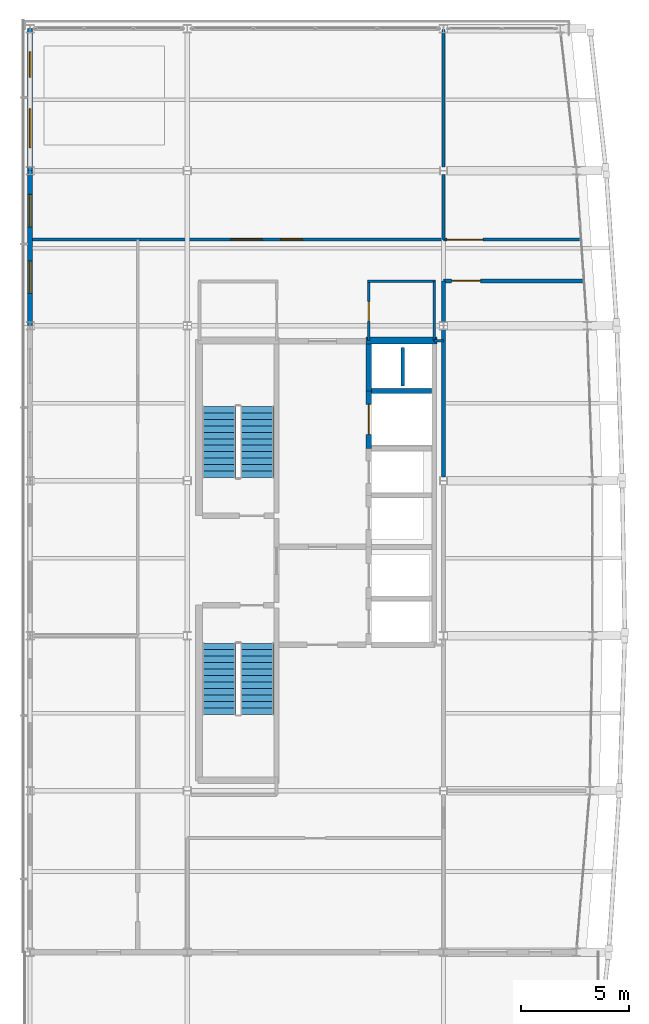
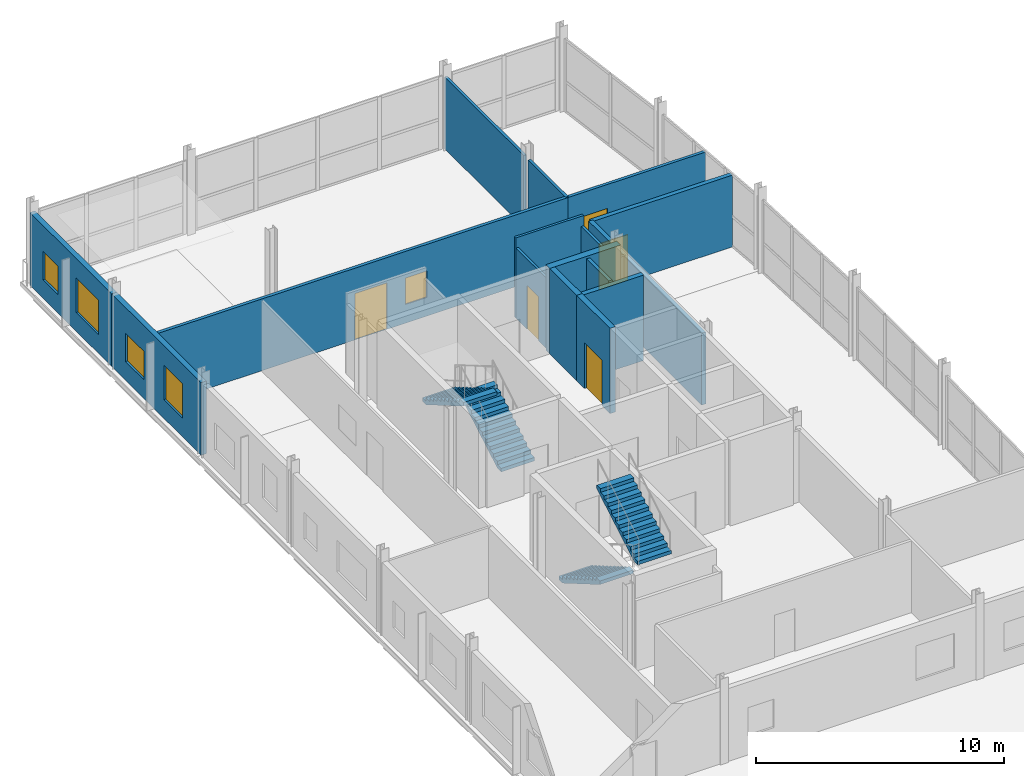
# One storey, part 16 of 19: 18 walls, 5 doors, 5 windows, 4 stair flights, 10 openings, 2 elements without a shape of their own.
"""IFC4 building model written with IfcOpenShell, lengths in metres."""

from ifc_helpers import new_model, si_unit, direction, frame, frame_2d, origin, place, context, subcontext, project, spatial, polyline, rectangle, outline, extrude, material, layer, layer_set, type_object, element, fill, aggregate, save


model = new_model("IFC4")

# Units and contexts
model_context = context("Model", 3, precision=1e-05, world=origin(), true_north=direction((0.0, 1.0)))
body_context = subcontext(model_context, "Body", "Model", "MODEL_VIEW")
ifc_project = project(units=[si_unit("LENGTHUNIT", "METRE"), si_unit("AREAUNIT", "SQUARE_METRE"), si_unit("VOLUMEUNIT", "CUBIC_METRE"), si_unit("PLANEANGLEUNIT", "RADIAN"), si_unit("MASSUNIT", "GRAM", prefix="KILO")], contexts=[model_context])

# Site, building, storey
site_placement = place(None, origin())
site = spatial("IfcSite", under=ifc_project, at=site_placement, CompositionType="ELEMENT")
building_placement = place(site_placement, origin())
building = spatial("IfcBuilding", under=site, at=building_placement, Name="Quillay Park Conservatory", CompositionType="ELEMENT")
storey_placement = place(building_placement, frame((0.0, 0.0, 35.10009765625)))
storey = spatial("IfcBuildingStorey", under=building, at=storey_placement, Name="L08", CompositionType="ELEMENT", Elevation=35.10009765625)

# Wall
ifc_material_1 = material(Name="Steel-Stud Acoustic Gypsum Board Partition", Category="steel")
ifc_layer_1 = layer(ifc_material_1, 0.10498046875)
ifc_layer_set_1 = layer_set([ifc_layer_1], Name="ACOUSTIC GYPSUM PARTITION 105 (Steel-Stud Acoustic Gypsum Board Partition)")
wall_type_1 = type_object("IfcWallType", Name="ACOUSTIC GYPSUM PARTITION 105", PredefinedType="PARTITIONING", material=ifc_layer_set_1)
wall_1_placement = place(storey_placement, frame((19.75, 98.89990234375, 0.0), z_axis=(0.0, 0.0, 1.0), x_axis=(-1.0, 0.0, 0.0)))
element("IfcWall", 1, at=wall_1_placement, inside=storey, type_object=wall_type_1, Name="L08 Core North-East Closure", PredefinedType="PARTITIONING", context=body_context, shape_type="SweptSolid", body=[
    extrude(rectangle(XDim=0.429931640625, YDim=0.10498046875, at=frame_2d((0.21484375, 0.0))), origin(), (0.0, 0.0, 1.0), 3.52685546875),
])

# Wall, opening, door
ifc_material_2 = material(Name="Steel-Stud Acoustic Gypsum Board Partition", Category="steel")
ifc_layer_2 = layer(ifc_material_2, 0.110107421875)
ifc_layer_set_2 = layer_set([ifc_layer_2], Name="ACOUSTIC GYPSUM PARTITION 110 (Steel-Stud Acoustic Gypsum Board Partition)")
wall_type_2 = type_object("IfcWallType", Name="ACOUSTIC GYPSUM PARTITION 110", PredefinedType="PARTITIONING", material=ifc_layer_set_2)
wall_2_placement = place(storey_placement, frame((16.280029296875, 98.919921875, 0.0), z_axis=(0.0, 0.0, 1.0), x_axis=(0.0, 1.0, 0.0)))
wall_2 = element("IfcWall", 2, at=wall_2_placement, inside=storey, type_object=wall_type_2, Name="L08 Washroom Door Wall", PredefinedType="PARTITIONING", context=body_context, shape_type="SweptSolid", body=[
    extrude(rectangle(XDim=2.68017578125, YDim=0.110107421875, at=frame_2d((1.340087890625, 0.0))), origin(), (0.0, 0.0, 1.0), 3.450927734375),
])
opening_1_placement = place(wall_2_placement, frame((0.8798828125, 0.0, 0.0)))
opening_1 = element("IfcOpeningElement", 3, at=opening_1_placement, cuts=wall_2, Name="Opening D-RM07", PredefinedType="OPENING", context=body_context, shape_type="SweptSolid", body=[
    extrude(rectangle(XDim=0.919921875, YDim=2.14990234375, at=frame_2d((0.4599609375, 1.074951171875))), frame((0.0, 0.05517578125, 0.0), z_axis=(0.0, -1.0, 0.0), x_axis=(1.0, 0.0, 0.0)), (0.0, 0.0, 1.0), 0.110107421875),
])
ifc_material_3 = material(Name="Thermally Broken Anodised Aluminium 6063-T6", Category="aluminium")
door_type_1 = type_object("IfcDoorType", Name="SINGLE SWING DOOR 920 X2150", OperationType="NOTDEFINED", PredefinedType="DOOR", material=ifc_material_3)
door_1_placement = place(opening_1_placement, origin())
door_1 = element("IfcDoor", 4, at=door_1_placement, inside=storey, type_object=door_type_1, Name="L08 Door to L08 Restroom and Washroom", OperationType="SINGLE_SWING_RIGHT", OverallHeight=2.14990234375, OverallWidth=0.919921875, PredefinedType="DOOR", context=body_context, shape_type="SweptSolid", body=[
    extrude(rectangle(XDim=0.919921875, YDim=2.14990234375, at=frame_2d((0.4599609375, 1.074951171875))), frame((0.0, 0.02490234375, 0.0), z_axis=(0.0, -1.0, 0.0), x_axis=(1.0, 0.0, 0.0)), (0.0, 0.0, 1.0), 0.050048828125),
])
fill(opening_1, door_1)

# Walls
ifc_material_4 = material(Name="Steel-Stud Acoustic Gypsum Board Partition", Category="steel")
ifc_layer_3 = layer(ifc_material_4, 0.114990234375)
ifc_layer_set_3 = layer_set([ifc_layer_3], Name="ACOUSTIC GYPSUM PARTITION 115 (Steel-Stud Acoustic Gypsum Board Partition)")
wall_type_3 = type_object("IfcWallType", Name="ACOUSTIC GYPSUM PARTITION 115", PredefinedType="PARTITIONING", material=ifc_layer_set_3)
wall_3_placement = place(storey_placement, frame((19.3798828125, 101.659912109375, 0.0), z_axis=(0.0, 0.0, 1.0), x_axis=(-1.0, 0.0, 0.0)))
element("IfcWall", 5, at=wall_3_placement, inside=storey, type_object=wall_type_3, Name="L08 Washroom North Wall", PredefinedType="PARTITIONING", context=body_context, shape_type="SweptSolid", body=[
    extrude(rectangle(XDim=3.159912109375, YDim=0.114990234375, at=frame_2d((1.580078125, 0.0))), origin(), (0.0, 0.0, 1.0), 3.949951171875),
])
ifc_material_5 = material(Name="Steel-Stud Acoustic Gypsum Board Partition", Category="steel")
ifc_layer_4 = layer(ifc_material_5, 0.1201171875)
ifc_layer_set_4 = layer_set([ifc_layer_4], Name="ACOUSTIC GYPSUM PARTITION 120 (Steel-Stud Acoustic Gypsum Board Partition)")
wall_type_4 = type_object("IfcWallType", Name="ACOUSTIC GYPSUM PARTITION 120", PredefinedType="PARTITIONING", material=ifc_layer_set_4)
wall_4_placement = place(storey_placement, frame((19.320068359375, 98.919921875, 0.0), z_axis=(0.0, 0.0, 1.0), x_axis=(0.0, 1.0, 0.0)))
element("IfcWall", 6, at=wall_4_placement, inside=storey, type_object=wall_type_4, Name="L08 Washroom East Wall", PredefinedType="PARTITIONING", context=body_context, shape_type="SweptSolid", body=[
    extrude(rectangle(XDim=2.739990234375, YDim=0.1201171875, at=frame_2d((1.3701171875, 0.0))), origin(), (0.0, 0.0, 1.0), 3.450927734375),
])
ifc_material_6 = material(Name="Steel-Stud Acoustic Gypsum Board Partition", Category="steel")
ifc_layer_5 = layer(ifc_material_6, 0.125)
ifc_layer_set_5 = layer_set([ifc_layer_5], Name="ACOUSTIC GYPSUM PARTITION 125 (Steel-Stud Acoustic Gypsum Board Partition)")
wall_type_5 = type_object("IfcWallType", Name="ACOUSTIC GYPSUM PARTITION 125", PredefinedType="PARTITIONING", material=ifc_layer_set_5)
wall_5_placement = place(storey_placement, frame((19.75, 113.35009765625, 0.0), z_axis=(0.0, 0.0, 1.0), x_axis=(0.0, -1.0, 0.0)))
element("IfcWall", 7, at=wall_5_placement, inside=storey, type_object=wall_type_5, Name="L08 North Divider 19 N", PredefinedType="PARTITIONING", context=body_context, shape_type="SweptSolid", body=[
    extrude(rectangle(XDim=6.36962890625, YDim=0.125, at=frame_2d((3.184814453125, 0.0))), origin(), (0.0, 0.0, 1.0), 3.52685546875),
])
ifc_material_7 = material(Name="Steel-Stud Acoustic Gypsum Board Partition", Category="steel")
ifc_layer_6 = layer(ifc_material_7, 0.1298828125)
ifc_layer_set_6 = layer_set([ifc_layer_6], Name="ACOUSTIC GYPSUM PARTITION 130 (Steel-Stud Acoustic Gypsum Board Partition)")
wall_type_6 = type_object("IfcWallType", Name="ACOUSTIC GYPSUM PARTITION 130", PredefinedType="PARTITIONING", material=ifc_layer_set_6)
wall_6_placement = place(storey_placement, frame((19.75, 106.619384765625, 0.0), z_axis=(0.0, 0.0, 1.0), x_axis=(0.0, -1.0, 0.0)))
element("IfcWall", 8, at=wall_6_placement, inside=storey, type_object=wall_type_6, Name="L08 North Divider 19 S", PredefinedType="PARTITIONING", context=body_context, shape_type="SweptSolid", body=[
    extrude(rectangle(XDim=3.019287109375, YDim=0.1298828125, at=frame_2d((1.509765625, 0.0))), origin(), (0.0, 0.0, 1.0), 3.52685546875),
])

# Wall, opening, door
ifc_material_8 = material(Name="Steel-Stud Acoustic Gypsum Board Partition", Category="steel")
ifc_layer_7 = layer(ifc_material_8, 0.139892578125)
ifc_layer_set_7 = layer_set([ifc_layer_7], Name="ACOUSTIC GYPSUM PARTITION 140 (Steel-Stud Acoustic Gypsum Board Partition)")
wall_type_7 = type_object("IfcWallType", Name="ACOUSTIC GYPSUM PARTITION 140", PredefinedType="PARTITIONING", material=ifc_layer_set_7)
wall_7_placement = place(storey_placement, frame((19.75, 103.60009765625, 0.0), z_axis=(0.0, 0.0, 1.0), x_axis=(1.0, 0.0, 0.0)))
wall_7 = element("IfcWall", 9, at=wall_7_placement, inside=storey, type_object=wall_type_7, Name="L08 Andean Mycology Culture Collection Room South Wall", PredefinedType="PARTITIONING", context=body_context, shape_type="SweptSolid", body=[
    extrude(rectangle(XDim=6.4150390625, YDim=0.139892578125, at=frame_2d((3.20751953125, 0.0))), origin(), (0.0, 0.0, 1.0), 3.52685546875),
])
opening_2_placement = place(wall_7_placement, frame((0.159912109375, 0.0, 0.0)))
opening_2 = element("IfcOpeningElement", 10, at=opening_2_placement, cuts=wall_7, Name="Opening D-RM38", PredefinedType="OPENING", context=body_context, shape_type="SweptSolid", body=[
    extrude(rectangle(XDim=1.679931640625, YDim=2.35009765625, at=frame_2d((0.83984375, 1.175048828125))), frame((0.0, 0.06982421875, 0.0), z_axis=(0.0, -1.0, 0.0), x_axis=(1.0, 0.0, 0.0)), (0.0, 0.0, 1.0), 0.139892578125),
])
ifc_material_9 = material(Name="Thermally Broken Anodised Aluminium 6063-T6", Category="aluminium")
door_type_2 = type_object("IfcDoorType", Name="SINGLE SWING DOOR 1680 X2350", OperationType="NOTDEFINED", PredefinedType="DOOR", material=ifc_material_9)
door_2_placement = place(opening_2_placement, origin())
door_2 = element("IfcDoor", 11, at=door_2_placement, inside=storey, type_object=door_type_2, Name="L08 Door to Andean Mycology Culture Collection Room", OperationType="SINGLE_SWING_RIGHT", OverallHeight=2.35009765625, OverallWidth=1.679931640625, PredefinedType="DOOR", context=body_context, shape_type="SweptSolid", body=[
    extrude(rectangle(XDim=1.679931640625, YDim=2.35009765625, at=frame_2d((0.83984375, 1.175048828125))), frame((0.0, 0.02490234375, 0.0), z_axis=(0.0, -1.0, 0.0), x_axis=(1.0, 0.0, 0.0)), (0.0, 0.0, 1.0), 0.050048828125),
])
fill(opening_2, door_2)

# Wall, openings, window, door
ifc_material_10 = material(Name="Steel-Stud Acoustic Gypsum Board Partition", Category="steel")
ifc_layer_8 = layer(ifc_material_10, 0.14990234375)
ifc_layer_set_8 = layer_set([ifc_layer_8], Name="ACOUSTIC GYPSUM PARTITION 150 (Steel-Stud Acoustic Gypsum Board Partition)")
wall_type_8 = type_object("IfcWallType", Name="ACOUSTIC GYPSUM PARTITION 150", PredefinedType="PARTITIONING", material=ifc_layer_set_8)
wall_8_placement = place(storey_placement, frame((0.64990234375, 103.60009765625, 0.0), z_axis=(0.0, 0.0, 1.0), x_axis=(1.0, 0.0, 0.0)))
wall_8 = element("IfcWall", 12, at=wall_8_placement, inside=storey, type_object=wall_type_8, Name="L08 Palynology and Spore Electron Microscopy Laboratory South Wall", PredefinedType="PARTITIONING", context=body_context, shape_type="SweptSolid", body=[
    extrude(rectangle(XDim=19.10009765625, YDim=0.14990234375, at=frame_2d((9.550048828125, 0.0))), origin(), (0.0, 0.0, 1.0), 3.52685546875),
])
opening_3_placement = place(wall_8_placement, frame((9.2099609375, 0.0, 0.0)))
opening_3 = element("IfcOpeningElement", 13, at=opening_3_placement, cuts=wall_8, Name="Opening D-RM37", PredefinedType="OPENING", context=body_context, shape_type="SweptSolid", body=[
    extrude(rectangle(XDim=1.47998046875, YDim=2.280029296875, at=frame_2d((0.739990234375, 1.14013671875))), frame((0.0, 0.074951171875, 0.0), z_axis=(0.0, -1.0, 0.0), x_axis=(1.0, 0.0, 0.0)), (0.0, 0.0, 1.0), 0.14990234375),
])
opening_4_placement = place(wall_8_placement, frame((11.5400390625, 0.0, 0.919921875)))
opening_4 = element("IfcOpeningElement", 14, at=opening_4_placement, cuts=wall_8, Name="Opening W-IN09", PredefinedType="OPENING", context=body_context, shape_type="SweptSolid", body=[
    extrude(rectangle(XDim=1.0, YDim=1.300048828125, at=frame_2d((0.5, 0.64990234375))), frame((0.0, 0.074951171875, 0.0), z_axis=(0.0, -1.0, 0.0), x_axis=(1.0, 0.0, 0.0)), (0.0, 0.0, 1.0), 0.14990234375),
])
ifc_material_11 = material(Name="Low-E Double Glazing (Laminated Tempered)", Category="glass")
window_type_1 = type_object("IfcWindowType", Name="OPERABLE VENT WINDOW 1000 X1300", PartitioningType="SINGLE_PANEL", PredefinedType="WINDOW", material=ifc_material_11)
window_1_placement = place(opening_4_placement, origin())
window_1 = element("IfcWindow", 15, at=window_1_placement, inside=storey, type_object=window_type_1, Name="L08 Laboratory Vision Panel 033", OverallHeight=1.300048828125, OverallWidth=1.0, PartitioningType="SINGLE_PANEL", PredefinedType="WINDOW", context=body_context, shape_type="SweptSolid", body=[
    extrude(rectangle(XDim=1.0, YDim=1.300048828125, at=frame_2d((0.5, 0.64990234375))), frame((0.0, 0.030029296875, 0.0), z_axis=(0.0, -1.0, 0.0), x_axis=(1.0, 0.0, 0.0)), (0.0, 0.0, 1.0), 0.06005859375),
])
fill(opening_4, window_1)
ifc_material_12 = material(Name="Thermally Broken Anodised Aluminium 6063-T6", Category="aluminium")
door_type_3 = type_object("IfcDoorType", Name="SINGLE SWING DOOR 1480 X2280", OperationType="NOTDEFINED", PredefinedType="DOOR", material=ifc_material_12)
door_3_placement = place(opening_3_placement, origin())
door_3 = element("IfcDoor", 16, at=door_3_placement, inside=storey, type_object=door_type_3, Name="L08 Door to Palynology and Spore Electron Microscopy Laboratory", OperationType="SINGLE_SWING_LEFT", OverallHeight=2.280029296875, OverallWidth=1.47998046875, PredefinedType="DOOR", context=body_context, shape_type="SweptSolid", body=[
    extrude(rectangle(XDim=1.47998046875, YDim=2.280029296875, at=frame_2d((0.739990234375, 1.14013671875))), frame((0.0, 0.02490234375, 0.0), z_axis=(0.0, -1.0, 0.0), x_axis=(1.0, 0.0, 0.0)), (0.0, 0.0, 1.0), 0.050048828125),
])
fill(opening_3, door_3)

# Wall
ifc_material_13 = material(Name="Concrete C35/45 (NCh170 Concrete C35/45)", Category="concrete")
ifc_layer_9 = layer(ifc_material_13, 0.22509765625)
ifc_layer_set_9 = layer_set([ifc_layer_9], Name="CORE SHEAR WALL 225 (Concrete C35/45 (NCh170 Concrete C35/45))")
wall_type_9 = type_object("IfcWallType", Name="CORE SHEAR WALL 225", PredefinedType="SHEAR", material=ifc_layer_set_9)
wall_9_placement = place(storey_placement, frame((16.39990234375, 96.574951171875, 0.0), z_axis=(0.0, 0.0, 1.0), x_axis=(1.0, 0.0, 0.0)))
element("IfcWall", 17, at=wall_9_placement, inside=storey, type_object=wall_type_9, Name="L08 Core Shear Wall WL-LFDIV-L08-965", PredefinedType="SHEAR", context=body_context, shape_type="SweptSolid", body=[
    extrude(rectangle(XDim=2.800048828125, YDim=0.22509765625, at=frame_2d((1.39990234375, 0.0))), origin(), (0.0, 0.0, 1.0), 4.199951171875),
])

# Wall, opening, door
ifc_material_14 = material(Name="Concrete C40/50 (NCh170 Concrete C40/50)", Category="concrete")
ifc_layer_10 = layer(ifc_material_14, 0.25)
ifc_layer_set_10 = layer_set([ifc_layer_10], Name="CORE SHEAR WALL 250 (Concrete C40/50 (NCh170 Concrete C40/50))")
wall_type_10 = type_object("IfcWallType", Name="CORE SHEAR WALL 250", PredefinedType="SHEAR", material=ifc_layer_set_10)
wall_10_placement = place(storey_placement, frame((16.27490234375, 93.89990234375, 0.0), z_axis=(0.0, 0.0, 1.0), x_axis=(0.0, 1.0, 0.0)))
wall_10 = element("IfcWall", 18, at=wall_10_placement, inside=storey, type_object=wall_type_10, Name="L08 Core Shear Wall WL-LFFR-L08-LF-G1", PredefinedType="SHEAR", context=body_context, shape_type="SweptSolid", body=[
    extrude(rectangle(XDim=2.675048828125, YDim=0.25, at=frame_2d((1.33740234375, 0.0))), origin(), (0.0, 0.0, 1.0), 4.199951171875),
])
opening_5_placement = place(wall_10_placement, frame((0.64990234375, 0.0, 0.0)))
opening_5 = element("IfcOpeningElement", 19, at=opening_5_placement, cuts=wall_10, Name="Opening LD03", PredefinedType="OPENING", context=body_context, shape_type="SweptSolid", body=[
    extrude(rectangle(XDim=1.39990234375, YDim=2.25, at=frame_2d((0.699951171875, 1.125))), frame((0.0, 0.125, 0.0), z_axis=(0.0, -1.0, 0.0), x_axis=(1.0, 0.0, 0.0)), (0.0, 0.0, 1.0), 0.25),
])
ifc_material_15 = material(Name="Steel ASTM A572 Grade 50", Category="steel")
door_type_4 = type_object("IfcDoorType", Name="LIFT LANDING SLIDING DOOR 1400 X2250", OperationType="NOTDEFINED", PredefinedType="DOOR", material=ifc_material_15)
door_4_placement = place(opening_5_placement, origin())
door_4 = element("IfcDoor", 20, at=door_4_placement, inside=storey, type_object=door_type_4, Name="L08 LF-G1 Lift Landing Door LD03", OperationType="SLIDING_TO_LEFT", OverallHeight=2.25, OverallWidth=1.39990234375, PredefinedType="DOOR", context=body_context, shape_type="SweptSolid", body=[
    extrude(rectangle(XDim=1.39990234375, YDim=2.25, at=frame_2d((0.699951171875, 1.125))), frame((0.0, 0.02490234375, 0.0), z_axis=(0.0, -1.0, 0.0), x_axis=(1.0, 0.0, 0.0)), (0.0, 0.0, 1.0), 0.050048828125),
])
fill(opening_5, door_4)

# Walls
wall_11_placement = place(storey_placement, frame((16.27490234375, 96.574951171875, 0.0), z_axis=(0.0, 0.0, 1.0), x_axis=(0.0, 1.0, 0.0)))
element("IfcWall", 21, at=wall_11_placement, inside=storey, type_object=wall_type_10, Name="L08 Core Shear Wall WL-MEPR-L08", PredefinedType="SHEAR", context=body_context, shape_type="SweptSolid", body=[
    extrude(rectangle(XDim=2.175048828125, YDim=0.25, at=frame_2d((1.08740234375, 0.0))), origin(), (0.0, 0.0, 1.0), 4.199951171875),
])
ifc_material_16 = material(Name="Concrete C40/50 (NCh170 Concrete C40/50)", Category="concrete")
ifc_layer_11 = layer(ifc_material_16, 0.320068359375)
ifc_layer_set_11 = layer_set([ifc_layer_11], Name="CORE SHEAR WALL 320 (Concrete C40/50 (NCh170 Concrete C40/50))")
wall_type_11 = type_object("IfcWallType", Name="CORE SHEAR WALL 320", PredefinedType="SHEAR", material=ifc_layer_set_11)
wall_12_placement = place(storey_placement, frame((16.14990234375, 98.909912109375, 0.0), z_axis=(0.0, 0.0, 1.0), x_axis=(1.0, 0.0, 0.0)))
element("IfcWall", 22, at=wall_12_placement, inside=storey, type_object=wall_type_11, Name="L08 Core Shear Wall WL-TCN-E-L08", PredefinedType="SHEAR", context=body_context, shape_type="SweptSolid", body=[
    extrude(rectangle(XDim=3.300048828125, YDim=0.320068359375, at=frame_2d((1.64990234375, 0.0))), origin(), (0.0, 0.0, 1.0), 4.199951171875),
])

# Wall, openings, windows
ifc_material_17 = material(Name="Glass-Fibre Reinforced Concrete (GRC) Cladding", Category="concrete")
ifc_layer_12 = layer(ifc_material_17, 0.239990234375)
ifc_layer_set_12 = layer_set([ifc_layer_12], Name="EXTERIOR SOLID WALL 240 (Glass-Fibre Reinforced Concrete (GRC) Cladding)")
wall_type_12 = type_object("IfcWallType", Name="EXTERIOR SOLID WALL 240", PredefinedType="SOLIDWALL", material=ifc_layer_set_12)
wall_13_placement = place(storey_placement, frame((0.550048828125, 99.60009765625, 0.0), z_axis=(0.0, 0.0, 1.0), x_axis=(0.0, 1.0, 0.0)))
wall_13 = element("IfcWall", 23, at=wall_13_placement, inside=storey, type_object=wall_type_12, Name="L08 External Wall WL-EXT-V4W-L08-4", PredefinedType="SOLIDWALL", context=body_context, shape_type="SweptSolid", body=[
    extrude(rectangle(XDim=7.199951171875, YDim=0.239990234375, at=frame_2d((3.60009765625, 0.0))), origin(), (0.0, 0.0, 1.0), 3.576904296875),
])
opening_6_placement = place(wall_13_placement, frame((1.5048828125, 0.0, 0.919921875)))
opening_6 = element("IfcOpeningElement", 24, at=opening_6_placement, cuts=wall_13, Name="Opening W-13", PredefinedType="OPENING", context=body_context, shape_type="SweptSolid", body=[
    extrude(rectangle(XDim=1.5, YDim=1.699951171875, at=frame_2d((0.75, 0.85009765625))), frame((0.0, 0.1201171875, 0.0), z_axis=(0.0, -1.0, 0.0), x_axis=(1.0, 0.0, 0.0)), (0.0, 0.0, 1.0), 0.239990234375),
])
opening_7_placement = place(wall_13_placement, frame((4.594970703125, 0.0, 0.919921875)))
opening_7 = element("IfcOpeningElement", 25, at=opening_7_placement, cuts=wall_13, Name="Opening W-03", PredefinedType="OPENING", context=body_context, shape_type="SweptSolid", body=[
    extrude(rectangle(XDim=1.5, YDim=1.39990234375, at=frame_2d((0.75, 0.699951171875))), frame((0.0, 0.1201171875, 0.0), z_axis=(0.0, -1.0, 0.0), x_axis=(1.0, 0.0, 0.0)), (0.0, 0.0, 1.0), 0.239990234375),
])
ifc_material_18 = material(Name="Low-E Double Glazing (Laminated Tempered)", Category="glass")
window_type_2 = type_object("IfcWindowType", Name="FIXED CASEMENT WINDOW 1500 X1400", PartitioningType="SINGLE_PANEL", PredefinedType="WINDOW", material=ifc_material_18)
window_2_placement = place(opening_7_placement, origin())
window_2 = element("IfcWindow", 26, at=window_2_placement, inside=storey, type_object=window_type_2, Name="L08 Exterior Window 0212", OverallHeight=1.39990234375, OverallWidth=1.5, PartitioningType="SINGLE_PANEL", PredefinedType="WINDOW", context=body_context, shape_type="SweptSolid", body=[
    extrude(rectangle(XDim=1.5, YDim=1.39990234375, at=frame_2d((0.75, 0.699951171875))), frame((0.0, 0.030029296875, 0.0), z_axis=(0.0, -1.0, 0.0), x_axis=(1.0, 0.0, 0.0)), (0.0, 0.0, 1.0), 0.06005859375),
])
fill(opening_7, window_2)
ifc_material_19 = material(Name="Low-E Double Glazing (Laminated Tempered)", Category="glass")
window_type_3 = type_object("IfcWindowType", Name="FIXED CASEMENT WINDOW 1500 X1700", PartitioningType="SINGLE_PANEL", PredefinedType="WINDOW", material=ifc_material_19)
window_3_placement = place(opening_6_placement, origin())
window_3 = element("IfcWindow", 27, at=window_3_placement, inside=storey, type_object=window_type_3, Name="L08 Exterior Window 0211", OverallHeight=1.699951171875, OverallWidth=1.5, PartitioningType="SINGLE_PANEL", PredefinedType="WINDOW", context=body_context, shape_type="SweptSolid", body=[
    extrude(rectangle(XDim=1.5, YDim=1.699951171875, at=frame_2d((0.75, 0.85009765625))), frame((0.0, 0.030029296875, 0.0), z_axis=(0.0, -1.0, 0.0), x_axis=(1.0, 0.0, 0.0)), (0.0, 0.0, 1.0), 0.06005859375),
])
fill(opening_6, window_3)

wall_14_placement = place(storey_placement, frame((0.550048828125, 106.800048828125, 0.0), z_axis=(0.0, 0.0, 1.0), x_axis=(0.0, 1.0, 0.0)))
wall_14 = element("IfcWall", 28, at=wall_14_placement, inside=storey, type_object=wall_type_12, Name="L08 External Wall WL-EXT-V4W-L08-5", PredefinedType="SOLIDWALL", context=body_context, shape_type="SweptSolid", body=[
    extrude(rectangle(XDim=6.599853515625, YDim=0.239990234375, at=frame_2d((3.2998046875, 0.0))), origin(), (0.0, 0.0, 1.0), 3.576904296875),
])
opening_8_placement = place(wall_14_placement, frame((1.070068359375, 0.0, 0.919921875)))
opening_8 = element("IfcOpeningElement", 29, at=opening_8_placement, cuts=wall_14, Name="Opening W-14", PredefinedType="OPENING", context=body_context, shape_type="SweptSolid", body=[
    extrude(rectangle(XDim=1.800048828125, YDim=1.699951171875, at=frame_2d((0.89990234375, 0.85009765625))), frame((0.0, 0.1201171875, 0.0), z_axis=(0.0, -1.0, 0.0), x_axis=(1.0, 0.0, 0.0)), (0.0, 0.0, 1.0), 0.239990234375),
])
opening_9_placement = place(wall_14_placement, frame((4.330078125, 0.0, 0.919921875)))
opening_9 = element("IfcOpeningElement", 30, at=opening_9_placement, cuts=wall_14, Name="Opening W-01", PredefinedType="OPENING", context=body_context, shape_type="SweptSolid", body=[
    extrude(rectangle(XDim=1.199951171875, YDim=1.39990234375, at=frame_2d((0.60009765625, 0.699951171875))), frame((0.0, 0.1201171875, 0.0), z_axis=(0.0, -1.0, 0.0), x_axis=(1.0, 0.0, 0.0)), (0.0, 0.0, 1.0), 0.239990234375),
])
ifc_material_20 = material(Name="Low-E Double Glazing (Laminated Tempered)", Category="glass")
window_type_4 = type_object("IfcWindowType", Name="FIXED CASEMENT WINDOW 1200 X1400", PartitioningType="SINGLE_PANEL", PredefinedType="WINDOW", material=ifc_material_20)
window_4_placement = place(opening_9_placement, origin())
window_4 = element("IfcWindow", 31, at=window_4_placement, inside=storey, type_object=window_type_4, Name="L08 Exterior Window 0214", OverallHeight=1.39990234375, OverallWidth=1.199951171875, PartitioningType="SINGLE_PANEL", PredefinedType="WINDOW", context=body_context, shape_type="SweptSolid", body=[
    extrude(rectangle(XDim=1.199951171875, YDim=1.39990234375, at=frame_2d((0.60009765625, 0.699951171875))), frame((0.0, 0.030029296875, 0.0), z_axis=(0.0, -1.0, 0.0), x_axis=(1.0, 0.0, 0.0)), (0.0, 0.0, 1.0), 0.06005859375),
])
fill(opening_9, window_4)
ifc_material_21 = material(Name="Low-E Double Glazing (Laminated Tempered)", Category="glass")
window_type_5 = type_object("IfcWindowType", Name="FIXED CASEMENT WINDOW 1800 X1700", PartitioningType="DOUBLE_PANEL_VERTICAL", PredefinedType="WINDOW", material=ifc_material_21)
window_5_placement = place(opening_8_placement, origin())
window_5 = element("IfcWindow", 32, at=window_5_placement, inside=storey, type_object=window_type_5, Name="L08 Exterior Window 0213", OverallHeight=1.699951171875, OverallWidth=1.800048828125, PartitioningType="DOUBLE_PANEL_VERTICAL", PredefinedType="WINDOW", context=body_context, shape_type="SweptSolid", body=[
    extrude(rectangle(XDim=1.800048828125, YDim=1.699951171875, at=frame_2d((0.89990234375, 0.85009765625))), frame((0.0, 0.030029296875, 0.0), z_axis=(0.0, -1.0, 0.0), x_axis=(1.0, 0.0, 0.0)), (0.0, 0.0, 1.0), 0.06005859375),
])
fill(opening_8, window_5)

# Walls
ifc_material_22 = material(Name="Steel-Stud Acoustic Gypsum Board Partition", Category="steel")
ifc_layer_13 = layer(ifc_material_22, 0.1650390625)
ifc_layer_set_13 = layer_set([ifc_layer_13], Name="PLUMBING SHAFT WALL 165 (Steel-Stud Acoustic Gypsum Board Partition)")
wall_type_13 = type_object("IfcWallType", Name="PLUMBING SHAFT WALL 165", PredefinedType="PLUMBINGWALL", material=ifc_layer_set_13)
wall_15_placement = place(storey_placement, frame((17.85009765625, 96.800048828125, 0.0), z_axis=(0.0, 0.0, 1.0), x_axis=(0.0, 1.0, 0.0)))
element("IfcWall", 33, at=wall_15_placement, inside=storey, type_object=wall_type_13, Name="L08 Plumbing Riser Wall", PredefinedType="PLUMBINGWALL", context=body_context, shape_type="SweptSolid", body=[
    extrude(rectangle(XDim=1.800048828125, YDim=0.1650390625, at=frame_2d((0.89990234375, 0.0))), origin(), (0.0, 0.0, 1.0), 4.199951171875),
])
ifc_material_23 = material(Name="Concrete C35/45 (NCh170 Concrete C35/45)", Category="concrete")
ifc_layer_14 = layer(ifc_material_23, 0.199951171875)
ifc_layer_set_14 = layer_set([ifc_layer_14], Name="SOLID VAULT WALL 200 (Concrete C35/45 (NCh170 Concrete C35/45))")
wall_type_14 = type_object("IfcWallType", Name="SOLID VAULT WALL 200", PredefinedType="SOLIDWALL", material=ifc_layer_set_14)
wall_16_placement = place(storey_placement, frame((19.75, 92.58056640625, 0.0), z_axis=(0.0, 0.0, 1.0), x_axis=(0.0, 1.0, 0.0)))
element("IfcWall", 34, at=wall_16_placement, inside=storey, type_object=wall_type_14, Name="L08 Optical Imaging and Photogrammetry Studio West Wall 3", PredefinedType="SOLIDWALL", context=body_context, shape_type="SweptSolid", body=[
    extrude(rectangle(XDim=6.842529296875, YDim=0.199951171875, at=frame_2d((3.42138671875, 0.0))), origin(), (0.0, 0.0, 1.0), 3.52685546875),
])
wall_17_placement = place(storey_placement, frame((19.75, 99.777099609375, 0.0), z_axis=(0.0, 0.0, 1.0), x_axis=(0.0, 1.0, 0.0)))
element("IfcWall", 35, at=wall_17_placement, inside=storey, type_object=wall_type_14, Name="L08 Optical Imaging and Photogrammetry Studio West Wall 4", PredefinedType="SOLIDWALL", context=body_context, shape_type="SweptSolid", body=[
    extrude(rectangle(XDim=1.90283203125, YDim=0.199951171875, at=frame_2d((0.951416015625, 0.0))), origin(), (0.0, 0.0, 1.0), 3.52685546875),
])

# Wall, opening, door
wall_18_placement = place(storey_placement, frame((19.75, 101.679931640625, 0.0), z_axis=(0.0, 0.0, 1.0), x_axis=(1.0, 0.0, 0.0)))
wall_18 = element("IfcWall", 36, at=wall_18_placement, inside=storey, type_object=wall_type_14, Name="L08 Optical Imaging and Photogrammetry Studio North Door Wall", PredefinedType="SOLIDWALL", context=body_context, shape_type="SweptSolid", body=[
    extrude(rectangle(XDim=6.5400390625, YDim=0.199951171875, at=frame_2d((3.27001953125, 0.0))), origin(), (0.0, 0.0, 1.0), 3.52685546875),
])
opening_10_placement = place(wall_18_placement, frame((0.375, 0.0, 0.0)))
opening_10 = element("IfcOpeningElement", 37, at=opening_10_placement, cuts=wall_18, Name="Opening D-HB01", PredefinedType="OPENING", context=body_context, shape_type="SweptSolid", body=[
    extrude(rectangle(XDim=1.35009765625, YDim=2.25, at=frame_2d((0.675048828125, 1.125))), frame((0.0, 0.10009765625, 0.0), z_axis=(0.0, -1.0, 0.0), x_axis=(1.0, 0.0, 0.0)), (0.0, 0.0, 1.0), 0.199951171875),
])
ifc_material_24 = material(Name="Steel ASTM A572 Grade 50", Category="steel")
door_type_5 = type_object("IfcDoorType", Name="FIRE RATED VAULT DOOR 1350 X2250", OperationType="NOTDEFINED", PredefinedType="DOOR", material=ifc_material_24)
door_5_placement = place(opening_10_placement, origin())
door_5 = element("IfcDoor", 38, at=door_5_placement, inside=storey, type_object=door_type_5, Name="L08 Door to Optical Imaging and Photogrammetry Studio", OperationType="SINGLE_SWING_LEFT", OverallHeight=2.25, OverallWidth=1.35009765625, PredefinedType="DOOR", context=body_context, shape_type="SweptSolid", body=[
    extrude(rectangle(XDim=1.35009765625, YDim=2.25, at=frame_2d((0.675048828125, 1.125))), frame((0.0, 0.02490234375, 0.0), z_axis=(0.0, -1.0, 0.0), x_axis=(1.0, 0.0, 0.0)), (0.0, 0.0, 1.0), 0.050048828125),
])
fill(opening_10, door_5)

# Stair, stair flights
ifc_material_25 = material(Name="Concrete C35/45 (NCh170 Concrete C35/45)", Category="concrete")
stair_type = type_object("IfcStairType", Name="ENCLOSED DOG LEG STAIR 4200", PredefinedType="HALF_TURN_STAIR", material=ifc_material_25)
stair_1_placement = place(storey_placement, origin())
stair_1 = element("IfcStair", 39, at=stair_1_placement, inside=storey, type_object=stair_type, Name="L08 Tower Protected Exit Stair 1", PredefinedType="HALF_TURN_STAIR")
ifc_material_26 = material(Name="Concrete C35/45 (NCh170 Concrete C35/45)", Category="concrete")
stair_flight_type = type_object("IfcStairFlightType", Name="STRAIGHT STAIR FLIGHT 4200", PredefinedType="STRAIGHT", material=ifc_material_26)
stair_flight_1_placement = place(storey_placement, frame((11.090087890625, 92.550048828125, 0.0), z_axis=(0.0, 0.0, 1.0), x_axis=(0.0, 1.0, 0.0)))
stair_flight_1 = element("IfcStairFlight", 40, at=stair_flight_1_placement, type_object=stair_flight_type, Name="ST-T1 flight 1", NumberOfRisers=12, NumberOfTreads=11, PredefinedType="STRAIGHT", RiserHeight=0.175, TreadLength=0.3, context=body_context, shape_type="SweptSolid", body=[
    extrude(outline(polyline([(0.0, 0.0), (0.0, 0.175048828125), (0.300048828125, 0.175048828125), (0.300048828125, 0.35009765625), (0.60009765625, 0.35009765625), (0.60009765625, 0.52490234375), (0.89990234375, 0.52490234375), (0.89990234375, 0.699951171875), (1.199951171875, 0.699951171875), (1.199951171875, 0.875), (1.5, 0.875), (1.5, 1.050048828125), (1.800048828125, 1.050048828125), (1.800048828125, 1.22509765625), (2.10009765625, 1.22509765625), (2.10009765625, 1.39990234375), (2.39990234375, 1.39990234375), (2.39990234375, 1.574951171875), (2.699951171875, 1.574951171875), (2.699951171875, 1.75), (3.0, 1.75), (3.0, 1.925048828125), (3.300048828125, 1.925048828125), (3.300048828125, 2.10009765625), (3.300048828125, 1.75146484375), (0.297607421875, 0.0), (0.0, 0.0)])), frame((0.0, 0.780029296875, 0.0), z_axis=(0.0, -1.0, 0.0), x_axis=(1.0, 0.0, 0.0)), (0.0, 0.0, 1.0), 1.56005859375),
])
stair_flight_2_placement = place(storey_placement, frame((9.330078125, 95.85009765625, 2.099853515625), z_axis=(0.0, 0.0, 1.0), x_axis=(0.0, -1.0, 0.0)))
stair_flight_2 = element("IfcStairFlight", 41, at=stair_flight_2_placement, type_object=stair_flight_type, Name="ST-T1 flight 2", NumberOfRisers=12, NumberOfTreads=11, PredefinedType="STRAIGHT", RiserHeight=0.175, TreadLength=0.3, context=body_context, shape_type="SweptSolid", body=[
    extrude(outline(polyline([(0.0, 0.0), (0.0, 0.175048828125), (0.300048828125, 0.175048828125), (0.300048828125, 0.35009765625), (0.60009765625, 0.35009765625), (0.60009765625, 0.52490234375), (0.89990234375, 0.52490234375), (0.89990234375, 0.699951171875), (1.199951171875, 0.699951171875), (1.199951171875, 0.875), (1.5, 0.875), (1.5, 1.050048828125), (1.800048828125, 1.050048828125), (1.800048828125, 1.22509765625), (2.10009765625, 1.22509765625), (2.10009765625, 1.39990234375), (2.39990234375, 1.39990234375), (2.39990234375, 1.574951171875), (2.699951171875, 1.574951171875), (2.699951171875, 1.75), (3.0, 1.75), (3.0, 1.925048828125), (3.300048828125, 1.925048828125), (3.300048828125, 2.10009765625), (3.300048828125, 1.75146484375), (0.297607421875, 0.0), (0.0, 0.0)])), frame((0.0, 0.780029296875, 0.0), z_axis=(0.0, -1.0, 0.0), x_axis=(1.0, 0.0, 0.0)), (0.0, 0.0, 1.0), 1.56005859375),
])
aggregate(stair_1, [stair_flight_1, stair_flight_2])

stair_2_placement = place(storey_placement, origin())
stair_2 = element("IfcStair", 42, at=stair_2_placement, inside=storey, type_object=stair_type, Name="L08 Tower Protected Exit Stair 2", PredefinedType="HALF_TURN_STAIR")
stair_flight_3_placement = place(storey_placement, frame((9.330078125, 84.85009765625, 0.0), z_axis=(0.0, 0.0, 1.0), x_axis=(0.0, -1.0, 0.0)))
stair_flight_3 = element("IfcStairFlight", 43, at=stair_flight_3_placement, type_object=stair_flight_type, Name="ST-T2 flight 1", NumberOfRisers=12, NumberOfTreads=11, PredefinedType="STRAIGHT", RiserHeight=0.175, TreadLength=0.3, context=body_context, shape_type="SweptSolid", body=[
    extrude(outline(polyline([(0.0, 0.0), (0.0, 0.175048828125), (0.300048828125, 0.175048828125), (0.300048828125, 0.35009765625), (0.60009765625, 0.35009765625), (0.60009765625, 0.52490234375), (0.89990234375, 0.52490234375), (0.89990234375, 0.699951171875), (1.199951171875, 0.699951171875), (1.199951171875, 0.875), (1.5, 0.875), (1.5, 1.050048828125), (1.800048828125, 1.050048828125), (1.800048828125, 1.22509765625), (2.10009765625, 1.22509765625), (2.10009765625, 1.39990234375), (2.39990234375, 1.39990234375), (2.39990234375, 1.574951171875), (2.699951171875, 1.574951171875), (2.699951171875, 1.75), (3.0, 1.75), (3.0, 1.925048828125), (3.300048828125, 1.925048828125), (3.300048828125, 2.10009765625), (3.300048828125, 1.75146484375), (0.297607421875, 0.0), (0.0, 0.0)])), frame((0.0, 0.780029296875, 0.0), z_axis=(0.0, -1.0, 0.0), x_axis=(1.0, 0.0, 0.0)), (0.0, 0.0, 1.0), 1.56005859375),
])
stair_flight_4_placement = place(storey_placement, frame((11.090087890625, 81.550048828125, 2.099853515625), z_axis=(0.0, 0.0, 1.0), x_axis=(0.0, 1.0, 0.0)))
stair_flight_4 = element("IfcStairFlight", 44, at=stair_flight_4_placement, type_object=stair_flight_type, Name="ST-T2 flight 2", NumberOfRisers=12, NumberOfTreads=11, PredefinedType="STRAIGHT", RiserHeight=0.175, TreadLength=0.3, context=body_context, shape_type="SweptSolid", body=[
    extrude(outline(polyline([(0.0, 0.0), (0.0, 0.175048828125), (0.300048828125, 0.175048828125), (0.300048828125, 0.35009765625), (0.60009765625, 0.35009765625), (0.60009765625, 0.52490234375), (0.89990234375, 0.52490234375), (0.89990234375, 0.699951171875), (1.199951171875, 0.699951171875), (1.199951171875, 0.875), (1.5, 0.875), (1.5, 1.050048828125), (1.800048828125, 1.050048828125), (1.800048828125, 1.22509765625), (2.10009765625, 1.22509765625), (2.10009765625, 1.39990234375), (2.39990234375, 1.39990234375), (2.39990234375, 1.574951171875), (2.699951171875, 1.574951171875), (2.699951171875, 1.75), (3.0, 1.75), (3.0, 1.925048828125), (3.300048828125, 1.925048828125), (3.300048828125, 2.10009765625), (3.300048828125, 1.75146484375), (0.297607421875, 0.0), (0.0, 0.0)])), frame((0.0, 0.780029296875, 0.0), z_axis=(0.0, -1.0, 0.0), x_axis=(1.0, 0.0, 0.0)), (0.0, 0.0, 1.0), 1.56005859375),
])
aggregate(stair_2, [stair_flight_3, stair_flight_4])

save(model, "model.ifc")
